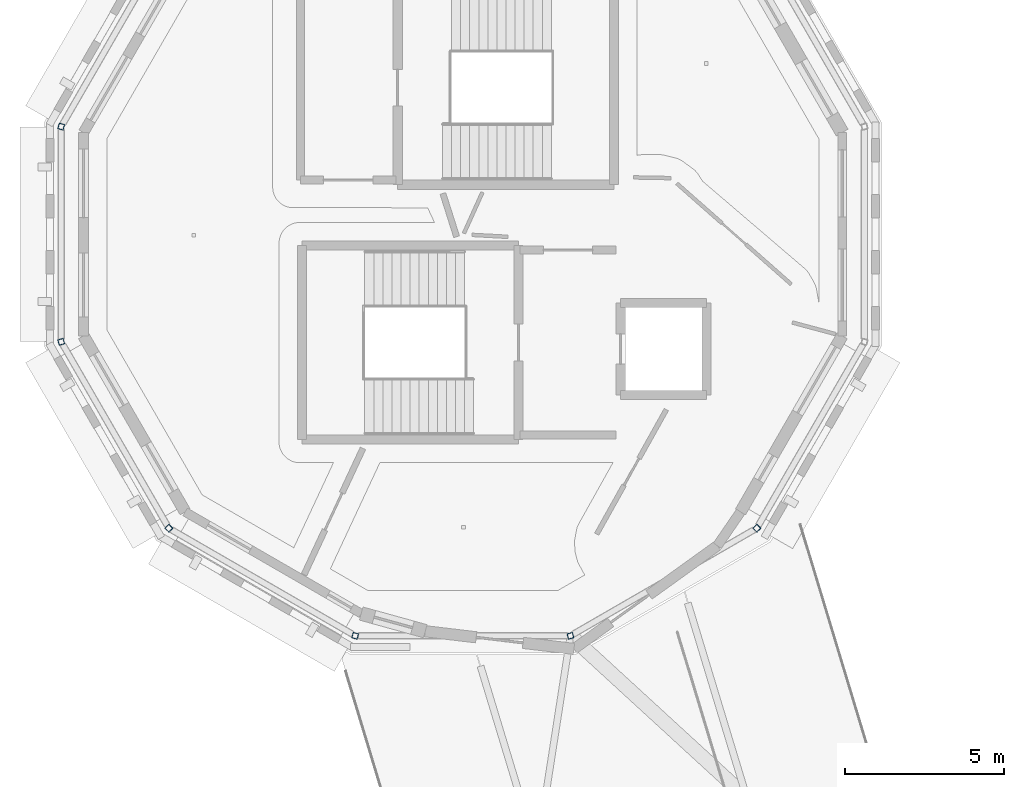
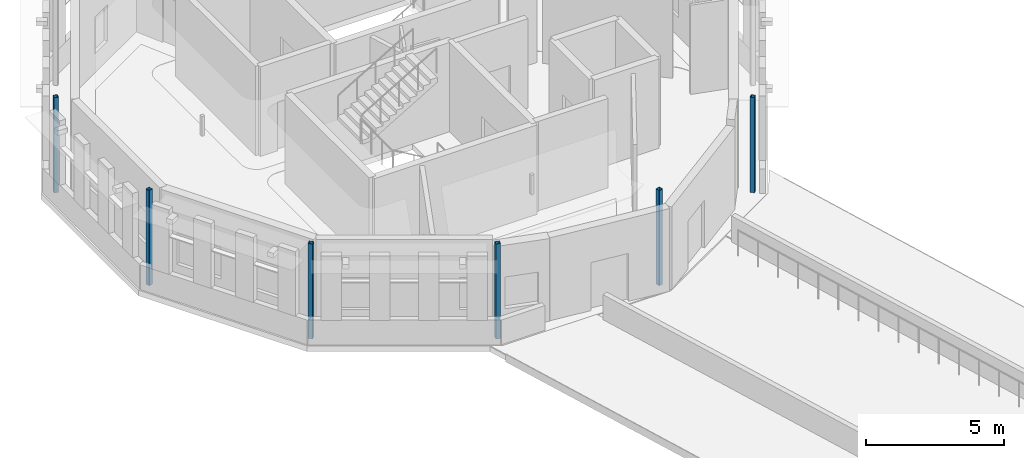
# One storey, part 4 of 68: 6 columns.
"""IFC4 building model written with IfcOpenShell, lengths in metres."""

from ifc_helpers import new_model, si_unit, direction, frame, origin, origin_2d, place, context, subcontext, project, spatial, hollow_rectangle, extrude, material, material_profile, profile_set, type_object, element, save


model = new_model("IFC4")

# Units and contexts
model_context = context("Model", 3, precision=1e-05, world=origin(), true_north=direction((0.0, 1.0)))
body_context = subcontext(model_context, "Body", "Model", "MODEL_VIEW")
ifc_project = project(units=[si_unit("LENGTHUNIT", "METRE"), si_unit("AREAUNIT", "SQUARE_METRE"), si_unit("VOLUMEUNIT", "CUBIC_METRE"), si_unit("PLANEANGLEUNIT", "RADIAN"), si_unit("MASSUNIT", "GRAM", prefix="KILO")], contexts=[model_context])

# Site, building, storey
site_placement = place(None, origin())
site = spatial("IfcSite", under=ifc_project, at=site_placement, CompositionType="ELEMENT")
building_placement = place(site_placement, origin())
building = spatial("IfcBuilding", under=site, at=building_placement, Name="Wrenclough Park School", CompositionType="ELEMENT")
storey_placement = place(building_placement, frame((0.0, 0.0, 12.60009765625)))
storey = spatial("IfcBuildingStorey", under=building, at=storey_placement, Name="L03", CompositionType="ELEMENT", Elevation=12.60009765625)

# Columns
ifc_material = material(Name="Structural steel S355", Category="steel")
ifc_material_profile = material_profile(ifc_material, hollow_rectangle(XDim=0.179931640625, YDim=0.179931640625, WallThickness=0.010009765625, InnerFilletRadius=0.010009765625, OuterFilletRadius=0.014892578125, at=origin_2d()), Name="SHS 180x180x10.0")
ifc_profile_set = profile_set([ifc_material_profile], Name="Structural steel S355")
column_type = type_object("IfcColumnType", Name="STR-COL-SHS180", PredefinedType="PILASTER", material=ifc_profile_set)
for number, where, z_axis, x_axis, name in (
    (1, (3.894775390625, 92.877685546875, 0.0), (0.0, 0.0, 1.0), (-0.258819045103, -0.965925826289, 0.0), "D3 L03 column D3-OUT-06"),
    (2, (3.894775390625, 86.122314453125, 0.0), (0.0, 0.0, 1.0), (0.258819045103, -0.965925826289, 0.0), "D3 L03 column D3-OUT-07"),
    (3, (7.272216796875, 80.272216796875, 0.0), (0.0, 0.0, 1.0), (0.707106781187, -0.707106781187, 0.0), "D3 L03 column D3-OUT-08"),
    (4, (13.122314453125, 76.894775390625, 0.0), (0.0, 0.0, 1.0), (0.965925826289, -0.258819045103, 0.0), "D3 L03 column D3-OUT-09"),
    (5, (19.877685546875, 76.894775390625, 0.0), (0.0, 0.0, 1.0), (0.965925826289, 0.258819045103, 0.0), "D3 L03 column D3-OUT-10"),
    (6, (25.727783203125, 80.272216796875, 0.0), (0.0, 0.0, 1.0), (0.707106781187, 0.707106781187, 0.0), "D3 L03 column D3-OUT-11"),
):
    element("IfcColumn", number, at=place(storey_placement, frame(where, z_axis=z_axis, x_axis=x_axis)), inside=storey, type_object=column_type, Name=name, PredefinedType="PILASTER", context=body_context, shape_type="SweptSolid", body=[
        extrude(hollow_rectangle(XDim=0.179931640625, YDim=0.179931640625, WallThickness=0.010009765625, InnerFilletRadius=0.010009765625, OuterFilletRadius=0.014892578125, at=origin_2d()), origin(), (0.0, 0.0, 1.0), 4.199951171875),
    ])

save(model, "model.ifc")
